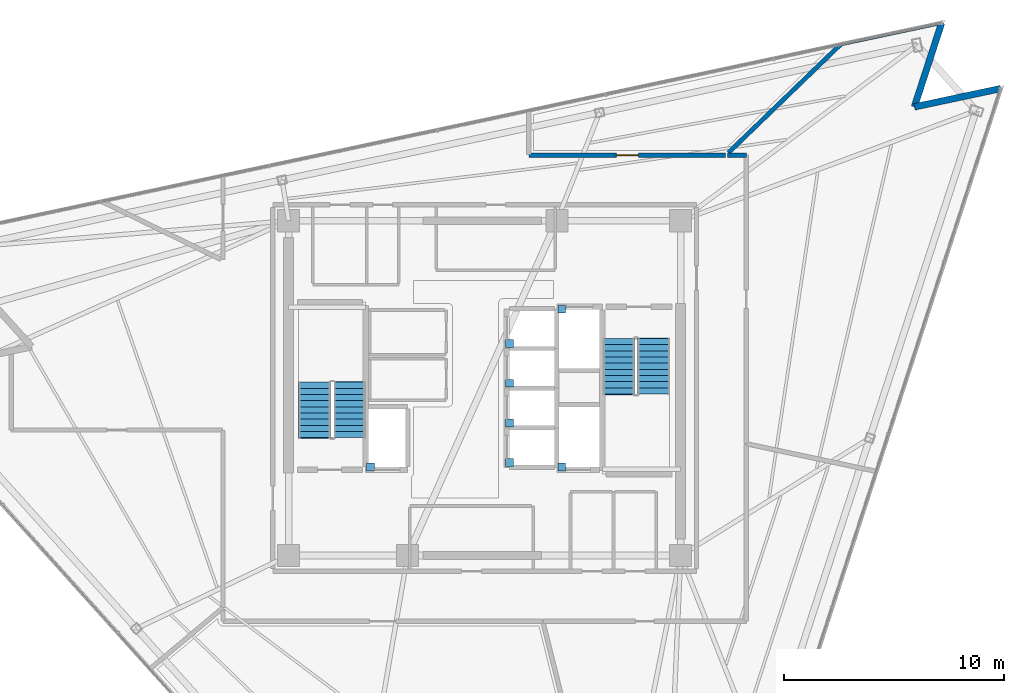
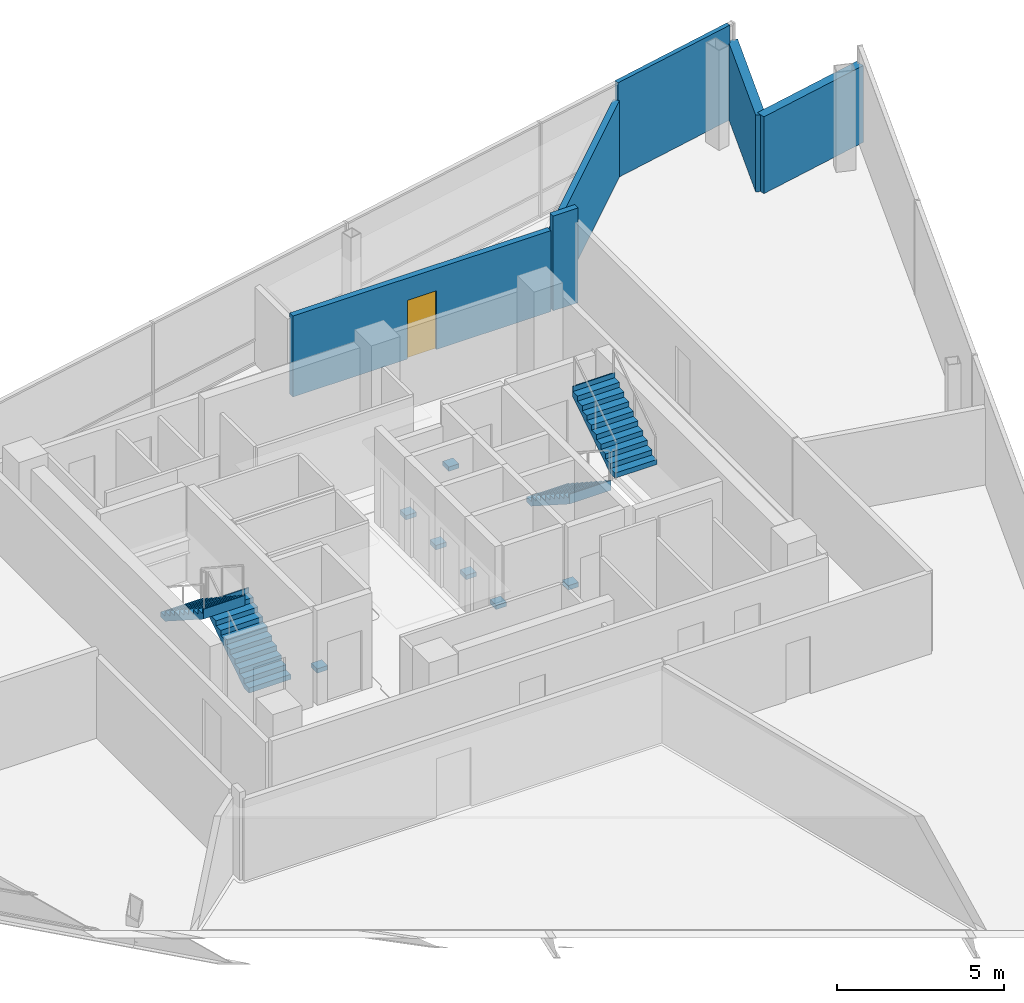
# One storey, part 12 of 15: 7 discrete accessories, 6 walls, 4 stair flights, 1 door, 1 opening, 2 elements without a shape of their own.
"""IFC4 building model written with IfcOpenShell, lengths in metres."""

from ifc_helpers import new_model, si_unit, direction, frame, frame_2d, origin, origin_2d, place, context, subcontext, project, spatial, polyline, rectangle, outline, extrude, material, layer, layer_set, type_object, element, fill, aggregate, save


model = new_model("IFC4")

# Units and contexts
model_context = context("Model", 3, precision=1e-05, world=origin(), true_north=direction((0.0, 1.0)))
body_context = subcontext(model_context, "Body", "Model", "MODEL_VIEW")
ifc_project = project(units=[si_unit("LENGTHUNIT", "METRE"), si_unit("AREAUNIT", "SQUARE_METRE"), si_unit("VOLUMEUNIT", "CUBIC_METRE"), si_unit("PLANEANGLEUNIT", "RADIAN"), si_unit("MASSUNIT", "GRAM", prefix="KILO")], contexts=[model_context])

# Site, building, storey
site_placement = place(None, origin())
site = spatial("IfcSite", under=ifc_project, at=site_placement, CompositionType="ELEMENT")
building_placement = place(site_placement, origin())
building = spatial("IfcBuilding", under=site, at=building_placement, Name="Tharavind Bronze Gate", CompositionType="ELEMENT")
storey_placement = place(building_placement, frame((0.0, 0.0, 283.39990234375)))
storey = spatial("IfcBuildingStorey", under=building, at=storey_placement, Name="L73", CompositionType="ELEMENT", Elevation=283.39990234375)

# Walls
ifc_material_1 = material(Name="Concrete C40/50", Category="concrete")
ifc_layer_1 = layer(ifc_material_1, 0.300048828125)
ifc_layer_set_1 = layer_set([ifc_layer_1], Name="Concrete C40/50")
wall_type_1 = type_object("IfcWallType", Name="EXTERIOR SPANDREL WALL 300", PredefinedType="STANDARD", material=ifc_layer_set_1)
wall_1_placement = place(storey_placement, frame((23.433837890625, 13.603271484375, 0.0), z_axis=(0.0, 0.0, 1.0), x_axis=(-0.97815049033, -0.207898095871, 0.0)))
element("IfcWall", 1, at=wall_1_placement, inside=storey, type_object=wall_type_1, Name="L73 notch cheek wall 3A", PredefinedType="STANDARD", context=body_context, shape_type="SweptSolid", body=[
    extrude(rectangle(XDim=4.008056640625, YDim=0.300048828125, at=frame_2d((2.00390625, 0.0))), origin(), (0.0, 0.0, 1.0), 2.81005859375),
])
wall_2_placement = place(storey_placement, frame((19.513427734375, 12.77001953125, 0.0), z_axis=(0.0, 0.0, 1.0), x_axis=(0.309018580232, 0.951056001018, 0.0)))
element("IfcWall", 2, at=wall_2_placement, inside=storey, type_object=wall_type_1, Name="L73 notch cheek wall 3B", PredefinedType="STANDARD", context=body_context, shape_type="SweptSolid", body=[
    extrude(rectangle(XDim=4.0078125, YDim=0.300048828125, at=frame_2d((2.00390625, 0.0))), origin(), (0.0, 0.0, 1.0), 2.81005859375),
])
ifc_material_2 = material(Name="Aerated Concrete Block", Category="concrete")
ifc_layer_2 = layer(ifc_material_2, 0.199951171875)
ifc_layer_set_2 = layer_set([ifc_layer_2], Name="Aerated Concrete Block")
wall_type_2 = type_object("IfcWallType", Name="FIRE RATED PARTITION 200", PredefinedType="PARTITIONING", material=ifc_layer_set_2)
wall_3_placement = place(storey_placement, frame((11.87939453125, 10.580078125, 0.0), z_axis=(0.0, 0.0, 1.0), x_axis=(-1.0, 0.0, 0.0)))
element("IfcWall", 3, at=wall_3_placement, inside=storey, type_object=wall_type_2, Name="L73 Public Restrooms Block partition", PredefinedType="PARTITIONING", context=body_context, shape_type="SweptSolid", body=[
    extrude(rectangle(XDim=0.861572265625, YDim=0.199951171875, at=frame_2d((0.4306640625, 0.0))), origin(), (0.0, 0.0, 1.0), 3.465087890625),
])
wall_4_placement = place(storey_placement, frame((11.064697265625, 10.68505859375, 0.0), z_axis=(0.0, 0.0, 1.0), x_axis=(0.719349741171, 0.694648076278, 0.0)))
element("IfcWall", 4, at=wall_4_placement, inside=storey, type_object=wall_type_2, Name="L73 Public Restrooms Block partition", PredefinedType="PARTITIONING", context=body_context, shape_type="SweptSolid", body=[
    extrude(rectangle(XDim=7.07666015625, YDim=0.199951171875, at=frame_2d((3.538330078125, 0.0))), origin(), (0.0, 0.0, 1.0), 2.81005859375),
])

# Wall, opening, door
wall_5_placement = place(storey_placement, frame((10.94580078125, 10.580078125, 0.0), z_axis=(0.0, 0.0, 1.0), x_axis=(-1.0, 0.0, 0.0)))
wall_5 = element("IfcWall", 5, at=wall_5_placement, inside=storey, type_object=wall_type_2, Name="L73 Crown Members Reading Study partition", PredefinedType="PARTITIONING", context=body_context, shape_type="SweptSolid", body=[
    extrude(rectangle(XDim=8.9208984375, YDim=0.199951171875, at=frame_2d((4.46044921875, 0.0))), origin(), (0.0, 0.0, 1.0), 2.960205078125),
])
opening_placement = place(wall_5_placement, frame((3.9599609375, 0.0, 0.0)))
opening = element("IfcOpeningElement", 6, at=opening_placement, cuts=wall_5, Name="Opening ID04", PredefinedType="OPENING", context=body_context, shape_type="SweptSolid", body=[
    extrude(rectangle(XDim=1.0, YDim=2.14990234375, at=frame_2d((0.5, 1.074951171875))), frame((0.0, 0.11009765625, 0.0), z_axis=(0.0, -1.0, 0.0), x_axis=(1.0, 0.0, 0.0)), (0.0, 0.0, 1.0), 0.219951171875),
])
ifc_material_3 = material(Name="Bronze Framed Acoustic Timber", Category="wood")
door_type = type_object("IfcDoorType", Name="OFFICE TENANCY DOOR 1000X2150", OperationType="SINGLE_SWING_RIGHT", PredefinedType="DOOR", material=ifc_material_3)
door_placement = place(opening_placement, origin())
door = element("IfcDoor", 7, at=door_placement, inside=storey, type_object=door_type, Name="L73 Crown Members Reading Study door", OperationType="SINGLE_SWING_RIGHT", OverallHeight=2.14990234375, OverallWidth=1.0, PredefinedType="DOOR", context=body_context, shape_type="SweptSolid", body=[
    extrude(rectangle(XDim=1.0, YDim=2.14990234375, at=frame_2d((0.5, 1.074951171875))), frame((0.0, 0.02490234375, 0.0), z_axis=(0.0, -1.0, 0.0), x_axis=(1.0, 0.0, 0.0)), (0.0, 0.0, 1.0), 0.050048828125),
])
fill(opening, door)

# Wall
ifc_material_4 = material(Name="Twin Stud Acoustic Gypsum", Category="gypsum")
ifc_layer_3 = layer(ifc_material_4, 0.14990234375)
ifc_layer_set_3 = layer_set([ifc_layer_3], Name="Twin Stud Acoustic Gypsum")
wall_type_3 = type_object("IfcWallType", Name="INTERIOR PARTITION WALL 150", PredefinedType="PARTITIONING", material=ifc_layer_set_3)
wall_6_placement = place(storey_placement, frame((16.16748046875, 15.607421875, 0.0), z_axis=(0.0, 0.0, 1.0), x_axis=(0.978147425174, 0.207912516762, 0.0)))
element("IfcWall", 8, at=wall_6_placement, inside=storey, type_object=wall_type_3, Name="L73 Public Restrooms Block partition", PredefinedType="PARTITIONING", context=body_context, shape_type="SweptSolid", body=[
    extrude(rectangle(XDim=4.5078125, YDim=0.14990234375, at=frame_2d((2.25390625, 0.0))), origin(), (0.0, 0.0, 1.0), 3.465087890625),
])

# Stair, stair flights
stair_type = type_object("IfcStairType", Name="CORE HALF TURN STAIR 1450", PredefinedType="HALF_TURN_STAIR", material=ifc_material_1)
stair_1_placement = place(storey_placement, origin())
stair_1 = element("IfcStair", 9, at=stair_1_placement, inside=storey, type_object=stair_type, Name="L73 Protected Exit Stair ST1", PredefinedType="HALF_TURN_STAIR")
stair_flight_type = type_object("IfcStairFlightType", Name="CORE STAIR FLIGHT 1450", PredefinedType="STRAIGHT", material=ifc_material_1)
stair_flight_1_placement = place(storey_placement, frame((-6.125, -2.25, 0.0), z_axis=(0.0, 0.0, 1.0), x_axis=(0.0, 1.0, 0.0)))
stair_flight_1 = element("IfcStairFlight", 10, at=stair_flight_1_placement, type_object=stair_flight_type, Name="ST1 flight 1", NumberOfRisers=10, NumberOfTreads=9, PredefinedType="STRAIGHT", RiserHeight=0.1825, TreadLength=0.28, context=body_context, shape_type="SweptSolid", body=[
    extrude(outline(polyline([(0.0, 0.0), (0.0, 0.1826171875), (0.280029296875, 0.1826171875), (0.280029296875, 0.364990234375), (0.56005859375, 0.364990234375), (0.56005859375, 0.547607421875), (0.840087890625, 0.547607421875), (0.840087890625, 0.72998046875), (1.1201171875, 0.72998046875), (1.1201171875, 0.91259765625), (1.39990234375, 0.91259765625), (1.39990234375, 1.094970703125), (1.679931640625, 1.094970703125), (1.679931640625, 1.277587890625), (1.9599609375, 1.277587890625), (1.9599609375, 1.4599609375), (2.239990234375, 1.4599609375), (2.239990234375, 1.642578125), (2.52001953125, 1.642578125), (2.52001953125, 1.824951171875), (2.555908203125, 1.824951171875), (2.555908203125, 1.463623046875), (0.2744140625, 0.0), (0.0, 0.0)])), frame((0.0, 0.72509765625, 0.0), z_axis=(0.0, -1.0, 0.0), x_axis=(1.0, 0.0, 0.0)), (0.0, 0.0, 1.0), 1.449951171875),
])
stair_flight_2_placement = place(storey_placement, frame((-7.72509765625, 0.27001953125, 1.8251953125), z_axis=(0.0, 0.0, 1.0), x_axis=(0.0, -1.0, 0.0)))
stair_flight_2 = element("IfcStairFlight", 11, at=stair_flight_2_placement, type_object=stair_flight_type, Name="ST1 flight 2", NumberOfRisers=10, NumberOfTreads=9, PredefinedType="STRAIGHT", RiserHeight=0.1825, TreadLength=0.28, context=body_context, shape_type="SweptSolid", body=[
    extrude(outline(polyline([(0.0, 0.0), (0.0, 0.1826171875), (0.280029296875, 0.1826171875), (0.280029296875, 0.364990234375), (0.56005859375, 0.364990234375), (0.56005859375, 0.547607421875), (0.840087890625, 0.547607421875), (0.840087890625, 0.72998046875), (1.1201171875, 0.72998046875), (1.1201171875, 0.91259765625), (1.39990234375, 0.91259765625), (1.39990234375, 1.094970703125), (1.679931640625, 1.094970703125), (1.679931640625, 1.277587890625), (1.9599609375, 1.277587890625), (1.9599609375, 1.4599609375), (2.239990234375, 1.4599609375), (2.239990234375, 1.642578125), (2.52001953125, 1.642578125), (2.52001953125, 1.824951171875), (2.555908203125, 1.824951171875), (2.555908203125, 1.463623046875), (0.2744140625, 0.0), (0.0, 0.0)])), frame((0.0, 0.72509765625, 0.0), z_axis=(0.0, -1.0, 0.0), x_axis=(1.0, 0.0, 0.0)), (0.0, 0.0, 1.0), 1.449951171875),
])
aggregate(stair_1, [stair_flight_1, stair_flight_2])

stair_2_placement = place(storey_placement, origin())
stair_2 = element("IfcStair", 12, at=stair_2_placement, inside=storey, type_object=stair_type, Name="L73 Protected Exit Stair ST2", PredefinedType="HALF_TURN_STAIR")
stair_flight_3_placement = place(storey_placement, frame((6.074951171875, 2.25, 0.0), z_axis=(0.0, 0.0, 1.0), x_axis=(0.0, -1.0, 0.0)))
stair_flight_3 = element("IfcStairFlight", 13, at=stair_flight_3_placement, type_object=stair_flight_type, Name="ST2 flight 1", NumberOfRisers=10, NumberOfTreads=9, PredefinedType="STRAIGHT", RiserHeight=0.1825, TreadLength=0.28, context=body_context, shape_type="SweptSolid", body=[
    extrude(outline(polyline([(0.0, 0.0), (0.0, 0.1826171875), (0.280029296875, 0.1826171875), (0.280029296875, 0.364990234375), (0.56005859375, 0.364990234375), (0.56005859375, 0.547607421875), (0.840087890625, 0.547607421875), (0.840087890625, 0.72998046875), (1.1201171875, 0.72998046875), (1.1201171875, 0.91259765625), (1.39990234375, 0.91259765625), (1.39990234375, 1.094970703125), (1.679931640625, 1.094970703125), (1.679931640625, 1.277587890625), (1.9599609375, 1.277587890625), (1.9599609375, 1.4599609375), (2.239990234375, 1.4599609375), (2.239990234375, 1.642578125), (2.52001953125, 1.642578125), (2.52001953125, 1.824951171875), (2.555908203125, 1.824951171875), (2.555908203125, 1.463623046875), (0.2744140625, 0.0), (0.0, 0.0)])), frame((0.0, 0.72509765625, 0.0), z_axis=(0.0, -1.0, 0.0), x_axis=(1.0, 0.0, 0.0)), (0.0, 0.0, 1.0), 1.449951171875),
])
stair_flight_4_placement = place(storey_placement, frame((7.675048828125, -0.27001953125, 1.8251953125), z_axis=(0.0, 0.0, 1.0), x_axis=(0.0, 1.0, 0.0)))
stair_flight_4 = element("IfcStairFlight", 14, at=stair_flight_4_placement, type_object=stair_flight_type, Name="ST2 flight 2", NumberOfRisers=10, NumberOfTreads=9, PredefinedType="STRAIGHT", RiserHeight=0.1825, TreadLength=0.28, context=body_context, shape_type="SweptSolid", body=[
    extrude(outline(polyline([(0.0, 0.0), (0.0, 0.1826171875), (0.280029296875, 0.1826171875), (0.280029296875, 0.364990234375), (0.56005859375, 0.364990234375), (0.56005859375, 0.547607421875), (0.840087890625, 0.547607421875), (0.840087890625, 0.72998046875), (1.1201171875, 0.72998046875), (1.1201171875, 0.91259765625), (1.39990234375, 0.91259765625), (1.39990234375, 1.094970703125), (1.679931640625, 1.094970703125), (1.679931640625, 1.277587890625), (1.9599609375, 1.277587890625), (1.9599609375, 1.4599609375), (2.239990234375, 1.4599609375), (2.239990234375, 1.642578125), (2.52001953125, 1.642578125), (2.52001953125, 1.824951171875), (2.555908203125, 1.824951171875), (2.555908203125, 1.463623046875), (0.2744140625, 0.0), (0.0, 0.0)])), frame((0.0, 0.72509765625, 0.0), z_axis=(0.0, -1.0, 0.0), x_axis=(1.0, 0.0, 0.0)), (0.0, 0.0, 1.0), 1.449951171875),
])
aggregate(stair_2, [stair_flight_3, stair_flight_4])

# Discrete accessories
ifc_material_5 = material(Name="Galvanised Steel S355", Category="steel")
discrete_accessory_type = type_object("IfcDiscreteAccessoryType", Name="LIFT GUIDE RAIL BRACKET", PredefinedType="BRACKET", material=ifc_material_5)
for number, where, z_axis, x_axis, name in (
    (15, (1.1201171875, -3.3798828125, 1.1201171875), (0.0, 0.0, 1.0), (1.0, 0.0, 0.0), "Lift PL9 guide rail bracket at L73"),
    (16, (1.1201171875, -1.580078125, 1.1201171875), (0.0, 0.0, 1.0), (1.0, 0.0, 0.0), "Lift PL10 guide rail bracket at L73"),
    (17, (1.1201171875, 0.219970703125, 1.1201171875), (0.0, 0.0, 1.0), (1.0, 0.0, 0.0), "Lift PL11 guide rail bracket at L73"),
    (18, (1.1201171875, 2.02001953125, 1.1201171875), (0.0, 0.0, 1.0), (1.0, 0.0, 0.0), "Lift PL12 guide rail bracket at L73"),
    (19, (-5.179931640625, -3.580078125, 1.1201171875), (0.0, 0.0, 1.0), (1.0, 0.0, 0.0), "Lift FFL1 guide rail bracket at L73"),
    (20, (3.5, 3.580078125, 1.1201171875), (0.0, 0.0, 1.0), (1.0, 0.0, 0.0), "Lift FFL2 guide rail bracket at L73"),
    (21, (3.5, -3.580078125, 1.1201171875), (0.0, 0.0, 1.0), (1.0, 0.0, 0.0), "Lift SVL1 guide rail bracket at L73"),
):
    element("IfcDiscreteAccessory", number, at=place(storey_placement, frame(where, z_axis=z_axis, x_axis=x_axis)), inside=storey, type_object=discrete_accessory_type, Name=name, PredefinedType="BRACKET", context=body_context, shape_type="SweptSolid", body=[
        extrude(rectangle(XDim=0.360107421875, YDim=0.360107421875, at=origin_2d()), origin(), (0.0, 0.0, 1.0), 0.159912109375),
    ])

save(model, "model.ifc")
